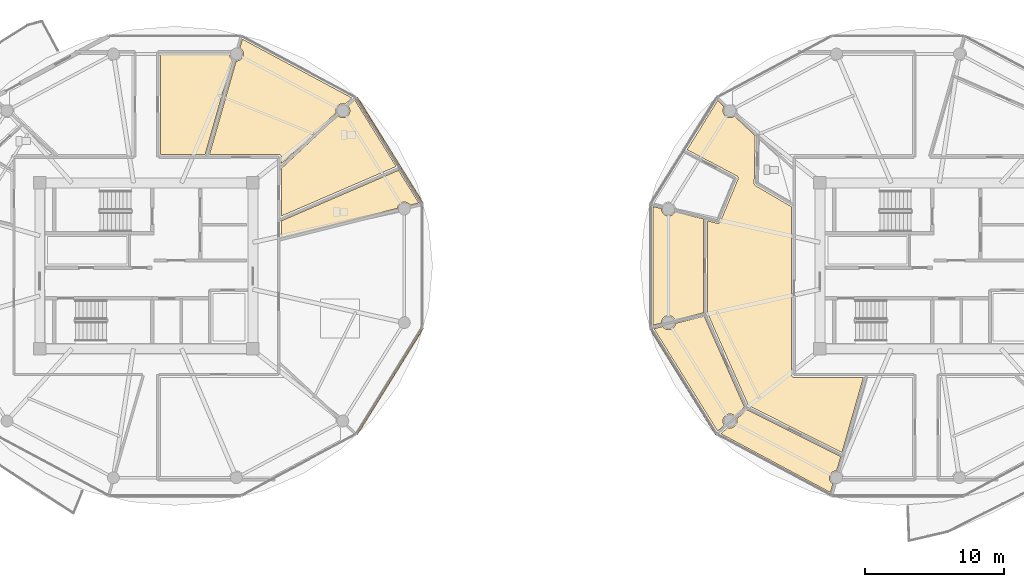
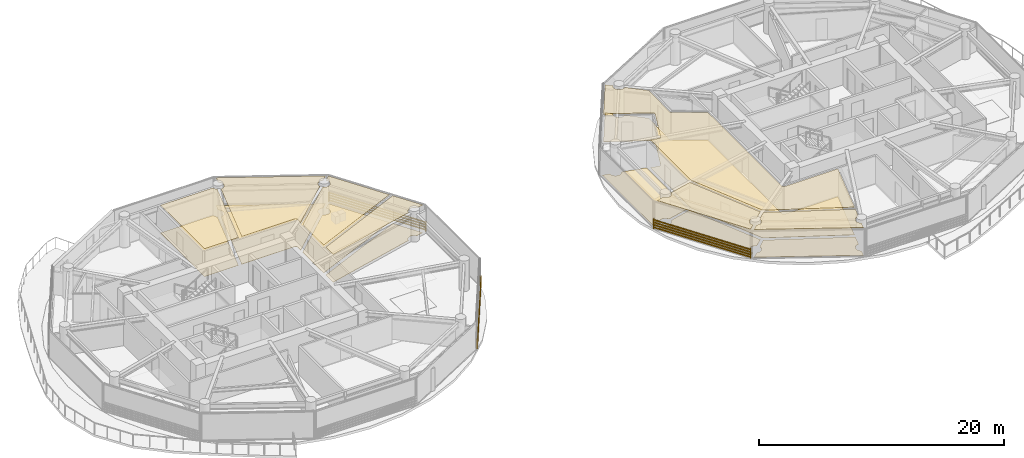
# One storey, part 21 of 25: 15 coverings, 3 shading devices.
"""IFC4 building model written with IfcOpenShell, lengths in metres."""

from ifc_helpers import new_model, si_unit, direction, frame, origin, origin_2d, place, context, subcontext, project, spatial, polyline, rectangle, outline, extrude, source, transform, mapped, material, layer, layer_set, type_object, type_shapes, element, save


model = new_model("IFC4")

# Units and contexts
model_context = context("Model", 3, precision=1e-05, world=origin(), true_north=direction((0.0, 1.0)))
body_context = subcontext(model_context, "Body", "Model", "MODEL_VIEW")
ifc_project = project(units=[si_unit("LENGTHUNIT", "METRE"), si_unit("AREAUNIT", "SQUARE_METRE"), si_unit("VOLUMEUNIT", "CUBIC_METRE"), si_unit("PLANEANGLEUNIT", "RADIAN"), si_unit("MASSUNIT", "GRAM", prefix="KILO")], contexts=[model_context])

# Site, building, storey
site_placement = place(None, origin())
site = spatial("IfcSite", under=ifc_project, at=site_placement, CompositionType="ELEMENT")
building_placement = place(site_placement, origin())
building = spatial("IfcBuilding", under=site, at=building_placement, Name="Norrkilde Senior Care Towers", CompositionType="ELEMENT")
storey_placement = place(building_placement, frame((0.0, 0.0, 99.300048828125)))
storey = spatial("IfcBuildingStorey", under=building, at=storey_placement, Name="L30", CompositionType="ELEMENT", Elevation=99.300048828125)

# Coverings
ifc_material_1 = material(Name="Nordic Ash Timber", Category="wood")
ifc_layer_1 = layer(ifc_material_1, 0.044921875)
ifc_layer_set_1 = layer_set([ifc_layer_1], Name="Nordic Ash Timber")
covering_type_1 = type_object("IfcCoveringType", Name="Acoustic Ash Timber Slatted Ceiling 45", PredefinedType="CEILING", material=ifc_layer_set_1)
covering_1_placement = place(storey_placement, frame((0.0, 0.0, 2.744873046875)))
element("IfcCovering", 1, at=covering_1_placement, inside=storey, type_object=covering_type_1, Name="L30 Suspended Ceiling 0248", PredefinedType="CEILING", context=body_context, shape_type="SweptSolid", body=[
    extrude(outline(polyline([(-23.784912109375, 8.0), (-26.97998046875, 8.0), (-26.97998046875, 15.169921875), (-22.036376953125, 15.169921875), (-22.02490234375, 15.08251953125), (-21.974365234375, 14.9609375), (-21.894287109375, 14.856201171875), (-21.835205078125, 14.81103515625), (-23.784912109375, 8.0)])), origin(), (0.0, 0.0, 1.0), 0.045166015625),
])
covering_2_placement = place(storey_placement, frame((0.0, 0.0, 2.744873046875)))
element("IfcCovering", 2, at=covering_2_placement, inside=storey, type_object=covering_type_1, Name="L30 Suspended Ceiling 0256", PredefinedType="CEILING", context=body_context, shape_type="SweptSolid", body=[
    extrude(outline(polyline([(-18.302734375, 7.833251953125), (-18.30517578125, 7.8447265625), (-18.30712890625, 7.852294921875), (-18.310546875, 7.86376953125), (-18.31298828125, 7.87109375), (-18.317626953125, 7.8818359375), (-18.321044921875, 7.888916015625), (-18.326416015625, 7.8994140625), (-18.33056640625, 7.90625), (-18.337158203125, 7.916015625), (-18.341796875, 7.92236328125), (-18.34912109375, 7.931396484375), (-18.3544921875, 7.937255859375), (-18.36279296875, 7.945556640625), (-18.36865234375, 7.95068359375), (-18.377685546875, 7.958251953125), (-18.384033203125, 7.962890625), (-18.393798828125, 7.969482421875), (-18.400634765625, 7.973388671875), (-18.410888671875, 7.97900390625), (-18.41796875, 7.982421875), (-18.428955078125, 7.98681640625), (-18.436279296875, 7.989501953125), (-18.447509765625, 7.992919921875), (-18.455322265625, 7.994873046875), (-18.466796875, 7.9970703125), (-18.474609375, 7.998291015625), (-18.486328125, 7.99951171875), (-18.494140625, 7.999755859375), (-18.5, 8.0), (-23.472900390625, 8.0), (-21.552001953125, 14.710205078125), (-21.537109375, 14.708251953125), (-21.406494140625, 14.7255859375), (-21.28466796875, 14.77587890625), (-21.179931640625, 14.856201171875), (-21.099853515625, 14.9609375), (-21.04931640625, 15.08251953125), (-21.0322265625, 15.21337890625), (-21.04931640625, 15.343994140625), (-21.099853515625, 15.4658203125), (-21.179931640625, 15.5703125), (-21.283203125, 15.649658203125), (-21.10546875, 16.270751953125), (-13.2470703125, 12.055419921875), (-13.724365234375, 11.608642578125), (-13.76318359375, 11.624755859375), (-13.893798828125, 11.641845703125), (-14.0244140625, 11.624755859375), (-14.146240234375, 11.57421875), (-14.2509765625, 11.494140625), (-14.3310546875, 11.389404296875), (-14.381591796875, 11.267578125), (-14.39892578125, 11.136962890625), (-14.381591796875, 11.00634765625), (-14.377685546875, 10.9970703125), (-18.300048828125, 7.325439453125), (-18.300048828125, 7.800048828125), (-18.300048828125, 7.805908203125), (-18.300537109375, 7.813720703125), (-18.3017578125, 7.825439453125), (-18.302734375, 7.833251953125)])), origin(), (0.0, 0.0, 1.0), 0.045166015625),
])
covering_3_placement = place(storey_placement, frame((0.0, 0.0, 2.744873046875)))
element("IfcCovering", 3, at=covering_3_placement, inside=storey, type_object=covering_type_1, Name="L30 Suspended Ceiling 0262", PredefinedType="CEILING", context=body_context, shape_type="SweptSolid", body=[
    extrude(outline(polyline([(15.6298828125, 5.90673828125), (15.630615234375, 5.89501953125), (15.631591796875, 5.888427734375), (15.633544921875, 5.876953125), (15.635009765625, 5.870361328125), (15.63818359375, 5.859130859375), (15.64013671875, 5.852783203125), (15.644287109375, 5.842041015625), (15.647216796875, 5.8359375), (15.65234375, 5.825439453125), (15.655517578125, 5.819580078125), (15.66162109375, 5.809814453125), (15.66552734375, 5.80419921875), (15.672607421875, 5.794921875), (15.677001953125, 5.789794921875), (15.68505859375, 5.781494140625), (15.689697265625, 5.776611328125), (15.698486328125, 5.76904296875), (15.703857421875, 5.764892578125), (15.713134765625, 5.758056640625), (15.71875, 5.75439453125), (15.723876953125, 5.751220703125), (18.300048828125, 4.2470703125), (18.300048828125, -7.800048828125), (18.300048828125, -7.805908203125), (18.300537109375, -7.813720703125), (18.3017578125, -7.825439453125), (18.302734375, -7.833251953125), (18.30517578125, -7.8447265625), (18.30712890625, -7.852294921875), (18.310546875, -7.86376953125), (18.31298828125, -7.87109375), (18.317626953125, -7.8818359375), (18.321044921875, -7.888916015625), (18.326416015625, -7.8994140625), (18.33056640625, -7.90625), (18.337158203125, -7.916015625), (18.341796875, -7.92236328125), (18.34912109375, -7.931396484375), (18.3544921875, -7.937255859375), (18.36279296875, -7.945556640625), (18.36865234375, -7.95068359375), (18.377685546875, -7.958251953125), (18.384033203125, -7.962890625), (18.393798828125, -7.969482421875), (18.400634765625, -7.973388671875), (18.410888671875, -7.97900390625), (18.41796875, -7.982421875), (18.428955078125, -7.98681640625), (18.436279296875, -7.989501953125), (18.447509765625, -7.992919921875), (18.455322265625, -7.994873046875), (18.466796875, -7.9970703125), (18.474609375, -7.998291015625), (18.486328125, -7.99951171875), (18.494140625, -7.999755859375), (18.5, -8.0), (23.472900390625, -8.0), (21.929931640625, -13.389892578125), (15.22119140625, -10.03076171875), (12.291259765625, -3.42138671875), (12.291259765625, 3.22998046875), (12.983154296875, 3.056396484375), (12.98876953125, 3.05517578125), (12.995361328125, 3.053955078125), (13.006591796875, 3.05224609375), (13.01318359375, 3.051513671875), (13.0244140625, 3.05078125), (13.03125, 3.05078125), (13.04248046875, 3.05126953125), (13.049072265625, 3.0517578125), (13.060546875, 3.053466796875), (13.06689453125, 3.0546875), (13.078125, 3.05712890625), (13.08447265625, 3.05908203125), (13.09521484375, 3.0625), (13.1015625, 3.06494140625), (13.11181640625, 3.069580078125), (13.11767578125, 3.072509765625), (13.127685546875, 3.078125), (13.13330078125, 3.081787109375), (13.142578125, 3.08837890625), (13.14794921875, 3.09228515625), (13.15673828125, 3.099609375), (13.161376953125, 3.104248046875), (13.16943359375, 3.1123046875), (13.173828125, 3.117431640625), (13.180908203125, 3.126220703125), (13.184814453125, 3.131591796875), (13.191162109375, 3.14111328125), (13.194580078125, 3.146728515625), (13.199951171875, 3.156982421875), (13.20263671875, 3.162841796875), (13.205078125, 3.168212890625), (14.46728515625, 6.21728515625), (14.46923828125, 6.22265625), (14.4716796875, 6.229248046875), (14.47509765625, 6.240478515625), (14.476806640625, 6.247314453125), (14.47900390625, 6.2587890625), (14.47998046875, 6.265625), (14.481201171875, 6.27734375), (14.4814453125, 6.284423828125), (14.4814453125, 6.296142578125), (14.481201171875, 6.302978515625), (14.47998046875, 6.314697265625), (14.47900390625, 6.321533203125), (14.4765625, 6.333251953125), (14.474853515625, 6.33984375), (14.471435546875, 6.35107421875), (14.468994140625, 6.357666015625), (14.464599609375, 6.36865234375), (14.461669921875, 6.374755859375), (14.4560546875, 6.38525390625), (14.452392578125, 6.39111328125), (14.44580078125, 6.40087890625), (14.441650390625, 6.406494140625), (14.43408203125, 6.41552734375), (14.429443359375, 6.420654296875), (14.421142578125, 6.428955078125), (14.416015625, 6.43359375), (14.40673828125, 6.44091796875), (14.401123046875, 6.445068359375), (14.391357421875, 6.45166015625), (14.385498046875, 6.455078125), (14.38037109375, 6.4580078125), (10.81640625, 8.337158203125), (13.009521484375, 11.86669921875), (13.48291015625, 11.423828125), (13.45654296875, 11.389404296875), (13.406005859375, 11.267578125), (13.388916015625, 11.136962890625), (13.406005859375, 11.00634765625), (13.45654296875, 10.884521484375), (13.53662109375, 10.77978515625), (13.641357421875, 10.69970703125), (13.76318359375, 10.649169921875), (13.893798828125, 10.6318359375), (14.0244140625, 10.649169921875), (14.146240234375, 10.69970703125), (14.206787109375, 10.74609375), (15.698486328125, 9.349609375), (15.6982421875, 9.346435546875), (15.697998046875, 9.340576171875), (15.629638671875, 5.919189453125), (15.629638671875, 5.913330078125), (15.6298828125, 5.90673828125)])), origin(), (0.0, 0.0, 1.0), 0.045166015625),
])
covering_4_placement = place(storey_placement, frame((0.0, 0.0, 2.744873046875)))
element("IfcCovering", 4, at=covering_4_placement, inside=storey, type_object=covering_type_1, Name="L30 Suspended Ceiling 0266", PredefinedType="CEILING", context=body_context, shape_type="SweptSolid", body=[
    extrude(outline(polyline([(9.123779296875, -4.43359375), (9.228515625, -4.513671875), (9.350341796875, -4.564208984375), (9.48095703125, -4.581298828125), (9.611572265625, -4.564208984375), (9.7333984375, -4.513671875), (9.838134765625, -4.43359375), (9.918212890625, -4.328857421875), (9.96875, -4.20703125), (9.97900390625, -4.129638671875), (12.037109375, -3.61328125), (14.927734375, -10.1337890625), (14.230224609375, -10.763916015625), (14.146240234375, -10.69970703125), (14.0244140625, -10.649169921875), (13.893798828125, -10.6318359375), (13.76318359375, -10.649169921875), (13.641357421875, -10.69970703125), (13.53662109375, -10.77978515625), (13.45654296875, -10.884521484375), (13.406005859375, -11.00634765625), (13.388916015625, -11.136962890625), (13.406005859375, -11.267578125), (13.45654296875, -11.389404296875), (13.48974609375, -11.4326171875), (13.009521484375, -11.866455078125), (8.44140625, -4.515380859375), (9.06640625, -4.358642578125), (9.123779296875, -4.43359375)])), origin(), (0.0, 0.0, 1.0), 0.045166015625),
])
covering_5_placement = place(storey_placement, frame((0.0, 0.0, 2.744873046875)))
element("IfcCovering", 5, at=covering_5_placement, inside=storey, type_object=covering_type_1, Name="L30 Suspended Ceiling 0267", PredefinedType="CEILING", context=body_context, shape_type="SweptSolid", body=[
    extrude(outline(polyline([(13.76318359375, -11.624755859375), (13.893798828125, -11.641845703125), (14.0244140625, -11.624755859375), (14.146240234375, -11.57421875), (14.2509765625, -11.494140625), (14.3310546875, -11.389404296875), (14.381591796875, -11.267578125), (14.39892578125, -11.136962890625), (14.381591796875, -11.00634765625), (14.377685546875, -10.9970703125), (15.102783203125, -10.318359375), (21.84326171875, -13.693115234375), (21.552001953125, -14.710205078125), (21.537109375, -14.708251953125), (21.406494140625, -14.7255859375), (21.28466796875, -14.77587890625), (21.179931640625, -14.856201171875), (21.099853515625, -14.9609375), (21.04931640625, -15.08251953125), (21.0322265625, -15.21337890625), (21.04931640625, -15.343994140625), (21.099853515625, -15.4658203125), (21.179931640625, -15.5703125), (21.283203125, -15.649658203125), (21.10546875, -16.270751953125), (13.2470703125, -12.055419921875), (13.724365234375, -11.608642578125), (13.76318359375, -11.624755859375)])), origin(), (0.0, 0.0, 1.0), 0.045166015625),
])
ifc_material_2 = material(Name="Gypsum Acoustic Board")
ifc_layer_2 = layer(ifc_material_2, 0.030029296875)
ifc_layer_set_2 = layer_set([ifc_layer_2], Name="Gypsum Acoustic Board")
covering_type_2 = type_object("IfcCoveringType", Name="Medical Cleanable Gypsum Ceiling 30", PredefinedType="CEILING", material=ifc_layer_set_2)
covering_6_placement = place(storey_placement, frame((0.0, 0.0, 2.760009765625)))
element("IfcCovering", 6, at=covering_6_placement, inside=storey, type_object=covering_type_2, Name="L30 Suspended Ceiling 0254", PredefinedType="CEILING", context=body_context, shape_type="SweptSolid", body=[
    extrude(outline(polyline([(-9.06640625, 4.358642578125), (-9.123779296875, 4.43359375), (-9.228515625, 4.513671875), (-9.350341796875, 4.564208984375), (-9.48095703125, 4.581298828125), (-9.611572265625, 4.564208984375), (-9.7333984375, 4.513671875), (-9.838134765625, 4.43359375), (-9.918212890625, 4.328857421875), (-9.96875, 4.20703125), (-9.97900390625, 4.129638671875), (-18.300048828125, 2.04248046875), (-18.300048828125, 3.23193359375), (-9.897216796875, 6.85791015625), (-8.44140625, 4.515380859375), (-9.06640625, 4.358642578125)])), origin(), (0.0, 0.0, 1.0), 0.030029296875),
])
covering_7_placement = place(storey_placement, frame((0.0, 0.0, 2.760009765625)))
element("IfcCovering", 7, at=covering_7_placement, inside=storey, type_object=covering_type_2, Name="L30 Suspended Ceiling 0255", PredefinedType="CEILING", context=body_context, shape_type="SweptSolid", body=[
    extrude(outline(polyline([(-10.06787109375, 7.1328125), (-18.300048828125, 3.580322265625), (-18.300048828125, 6.99658203125), (-14.254150390625, 10.783935546875), (-14.2509765625, 10.77978515625), (-14.146240234375, 10.69970703125), (-14.0244140625, 10.649169921875), (-13.893798828125, 10.6318359375), (-13.76318359375, 10.649169921875), (-13.641357421875, 10.69970703125), (-13.53662109375, 10.77978515625), (-13.45654296875, 10.884521484375), (-13.406005859375, 11.00634765625), (-13.388916015625, 11.136962890625), (-13.406005859375, 11.267578125), (-13.45654296875, 11.389404296875), (-13.51953125, 11.4716796875), (-13.0419921875, 11.918701171875), (-10.06787109375, 7.1328125)])), origin(), (0.0, 0.0, 1.0), 0.030029296875),
])
ifc_material_3 = material(Name="Slip-Resistant Porcelain Stone", Category="masonry")
ifc_layer_3 = layer(ifc_material_3, 0.02490234375)
ifc_layer_set_3 = layer_set([ifc_layer_3], Name="Slip-Resistant Porcelain Stone")
covering_type_3 = type_object("IfcCoveringType", Name="Slip-Resistant Porcelain Flooring 25", PredefinedType="FLOORING", material=ifc_layer_set_3)
covering_8_placement = place(storey_placement, origin())
element("IfcCovering", 8, at=covering_8_placement, inside=storey, type_object=covering_type_3, Name="L30 Floor Finish 0248", PredefinedType="FLOORING", context=body_context, shape_type="SweptSolid", body=[
    extrude(outline(polyline([(-23.784912109375, 8.0), (-26.97998046875, 8.0), (-26.97998046875, 15.169921875), (-22.036376953125, 15.169921875), (-22.02490234375, 15.08251953125), (-21.974365234375, 14.9609375), (-21.894287109375, 14.856201171875), (-21.835205078125, 14.81103515625), (-23.784912109375, 8.0)])), origin(), (0.0, 0.0, 1.0), 0.02490234375),
])
covering_9_placement = place(storey_placement, origin())
element("IfcCovering", 9, at=covering_9_placement, inside=storey, type_object=covering_type_3, Name="L30 Floor Finish 0254", PredefinedType="FLOORING", context=body_context, shape_type="SweptSolid", body=[
    extrude(outline(polyline([(-9.06640625, 4.358642578125), (-9.123779296875, 4.43359375), (-9.228515625, 4.513671875), (-9.350341796875, 4.564208984375), (-9.48095703125, 4.581298828125), (-9.611572265625, 4.564208984375), (-9.7333984375, 4.513671875), (-9.838134765625, 4.43359375), (-9.918212890625, 4.328857421875), (-9.96875, 4.20703125), (-9.97900390625, 4.129638671875), (-18.300048828125, 2.04248046875), (-18.300048828125, 3.23193359375), (-9.897216796875, 6.85791015625), (-8.44140625, 4.515380859375), (-9.06640625, 4.358642578125)])), origin(), (0.0, 0.0, 1.0), 0.02490234375),
])
covering_10_placement = place(storey_placement, origin())
element("IfcCovering", 10, at=covering_10_placement, inside=storey, type_object=covering_type_3, Name="L30 Floor Finish 0255", PredefinedType="FLOORING", context=body_context, shape_type="SweptSolid", body=[
    extrude(outline(polyline([(-10.06787109375, 7.1328125), (-18.300048828125, 3.580322265625), (-18.300048828125, 6.99658203125), (-14.254150390625, 10.783935546875), (-14.2509765625, 10.77978515625), (-14.146240234375, 10.69970703125), (-14.0244140625, 10.649169921875), (-13.893798828125, 10.6318359375), (-13.76318359375, 10.649169921875), (-13.641357421875, 10.69970703125), (-13.53662109375, 10.77978515625), (-13.45654296875, 10.884521484375), (-13.406005859375, 11.00634765625), (-13.388916015625, 11.136962890625), (-13.406005859375, 11.267578125), (-13.45654296875, 11.389404296875), (-13.51953125, 11.4716796875), (-13.0419921875, 11.918701171875), (-10.06787109375, 7.1328125)])), origin(), (0.0, 0.0, 1.0), 0.02490234375),
])
covering_11_placement = place(storey_placement, origin())
element("IfcCovering", 11, at=covering_11_placement, inside=storey, type_object=covering_type_3, Name="L30 Floor Finish 0256", PredefinedType="FLOORING", context=body_context, shape_type="SweptSolid", body=[
    extrude(outline(polyline([(-18.302734375, 7.833251953125), (-18.30517578125, 7.8447265625), (-18.30712890625, 7.852294921875), (-18.310546875, 7.86376953125), (-18.31298828125, 7.87109375), (-18.317626953125, 7.8818359375), (-18.321044921875, 7.888916015625), (-18.326416015625, 7.8994140625), (-18.33056640625, 7.90625), (-18.337158203125, 7.916015625), (-18.341796875, 7.92236328125), (-18.34912109375, 7.931396484375), (-18.3544921875, 7.937255859375), (-18.36279296875, 7.945556640625), (-18.36865234375, 7.95068359375), (-18.377685546875, 7.958251953125), (-18.384033203125, 7.962890625), (-18.393798828125, 7.969482421875), (-18.400634765625, 7.973388671875), (-18.410888671875, 7.97900390625), (-18.41796875, 7.982421875), (-18.428955078125, 7.98681640625), (-18.436279296875, 7.989501953125), (-18.447509765625, 7.992919921875), (-18.455322265625, 7.994873046875), (-18.466796875, 7.9970703125), (-18.474609375, 7.998291015625), (-18.486328125, 7.99951171875), (-18.494140625, 7.999755859375), (-18.5, 8.0), (-23.472900390625, 8.0), (-21.552001953125, 14.710205078125), (-21.537109375, 14.708251953125), (-21.406494140625, 14.7255859375), (-21.28466796875, 14.77587890625), (-21.179931640625, 14.856201171875), (-21.099853515625, 14.9609375), (-21.04931640625, 15.08251953125), (-21.0322265625, 15.21337890625), (-21.04931640625, 15.343994140625), (-21.099853515625, 15.4658203125), (-21.179931640625, 15.5703125), (-21.283203125, 15.649658203125), (-21.10546875, 16.270751953125), (-13.2470703125, 12.055419921875), (-13.724365234375, 11.608642578125), (-13.76318359375, 11.624755859375), (-13.893798828125, 11.641845703125), (-14.0244140625, 11.624755859375), (-14.146240234375, 11.57421875), (-14.2509765625, 11.494140625), (-14.3310546875, 11.389404296875), (-14.381591796875, 11.267578125), (-14.39892578125, 11.136962890625), (-14.381591796875, 11.00634765625), (-14.377685546875, 10.9970703125), (-18.300048828125, 7.325439453125), (-18.300048828125, 7.800048828125), (-18.300048828125, 7.805908203125), (-18.300537109375, 7.813720703125), (-18.3017578125, 7.825439453125), (-18.302734375, 7.833251953125)])), origin(), (0.0, 0.0, 1.0), 0.02490234375),
])
covering_12_placement = place(storey_placement, origin())
element("IfcCovering", 12, at=covering_12_placement, inside=storey, type_object=covering_type_3, Name="L30 Floor Finish 0262", PredefinedType="FLOORING", context=body_context, shape_type="SweptSolid", body=[
    extrude(outline(polyline([(15.6298828125, 5.90673828125), (15.630615234375, 5.89501953125), (15.631591796875, 5.888427734375), (15.633544921875, 5.876953125), (15.635009765625, 5.870361328125), (15.63818359375, 5.859130859375), (15.64013671875, 5.852783203125), (15.644287109375, 5.842041015625), (15.647216796875, 5.8359375), (15.65234375, 5.825439453125), (15.655517578125, 5.819580078125), (15.66162109375, 5.809814453125), (15.66552734375, 5.80419921875), (15.672607421875, 5.794921875), (15.677001953125, 5.789794921875), (15.68505859375, 5.781494140625), (15.689697265625, 5.776611328125), (15.698486328125, 5.76904296875), (15.703857421875, 5.764892578125), (15.713134765625, 5.758056640625), (15.71875, 5.75439453125), (15.723876953125, 5.751220703125), (18.300048828125, 4.2470703125), (18.300048828125, -7.800048828125), (18.300048828125, -7.805908203125), (18.300537109375, -7.813720703125), (18.3017578125, -7.825439453125), (18.302734375, -7.833251953125), (18.30517578125, -7.8447265625), (18.30712890625, -7.852294921875), (18.310546875, -7.86376953125), (18.31298828125, -7.87109375), (18.317626953125, -7.8818359375), (18.321044921875, -7.888916015625), (18.326416015625, -7.8994140625), (18.33056640625, -7.90625), (18.337158203125, -7.916015625), (18.341796875, -7.92236328125), (18.34912109375, -7.931396484375), (18.3544921875, -7.937255859375), (18.36279296875, -7.945556640625), (18.36865234375, -7.95068359375), (18.377685546875, -7.958251953125), (18.384033203125, -7.962890625), (18.393798828125, -7.969482421875), (18.400634765625, -7.973388671875), (18.410888671875, -7.97900390625), (18.41796875, -7.982421875), (18.428955078125, -7.98681640625), (18.436279296875, -7.989501953125), (18.447509765625, -7.992919921875), (18.455322265625, -7.994873046875), (18.466796875, -7.9970703125), (18.474609375, -7.998291015625), (18.486328125, -7.99951171875), (18.494140625, -7.999755859375), (18.5, -8.0), (23.472900390625, -8.0), (21.929931640625, -13.389892578125), (15.22119140625, -10.03076171875), (12.291259765625, -3.42138671875), (12.291259765625, 3.22998046875), (12.983154296875, 3.056396484375), (12.98876953125, 3.05517578125), (12.995361328125, 3.053955078125), (13.006591796875, 3.05224609375), (13.01318359375, 3.051513671875), (13.0244140625, 3.05078125), (13.03125, 3.05078125), (13.04248046875, 3.05126953125), (13.049072265625, 3.0517578125), (13.060546875, 3.053466796875), (13.06689453125, 3.0546875), (13.078125, 3.05712890625), (13.08447265625, 3.05908203125), (13.09521484375, 3.0625), (13.1015625, 3.06494140625), (13.11181640625, 3.069580078125), (13.11767578125, 3.072509765625), (13.127685546875, 3.078125), (13.13330078125, 3.081787109375), (13.142578125, 3.08837890625), (13.14794921875, 3.09228515625), (13.15673828125, 3.099609375), (13.161376953125, 3.104248046875), (13.16943359375, 3.1123046875), (13.173828125, 3.117431640625), (13.180908203125, 3.126220703125), (13.184814453125, 3.131591796875), (13.191162109375, 3.14111328125), (13.194580078125, 3.146728515625), (13.199951171875, 3.156982421875), (13.20263671875, 3.162841796875), (13.205078125, 3.168212890625), (14.46728515625, 6.21728515625), (14.46923828125, 6.22265625), (14.4716796875, 6.229248046875), (14.47509765625, 6.240478515625), (14.476806640625, 6.247314453125), (14.47900390625, 6.2587890625), (14.47998046875, 6.265625), (14.481201171875, 6.27734375), (14.4814453125, 6.284423828125), (14.4814453125, 6.296142578125), (14.481201171875, 6.302978515625), (14.47998046875, 6.314697265625), (14.47900390625, 6.321533203125), (14.4765625, 6.333251953125), (14.474853515625, 6.33984375), (14.471435546875, 6.35107421875), (14.468994140625, 6.357666015625), (14.464599609375, 6.36865234375), (14.461669921875, 6.374755859375), (14.4560546875, 6.38525390625), (14.452392578125, 6.39111328125), (14.44580078125, 6.40087890625), (14.441650390625, 6.406494140625), (14.43408203125, 6.41552734375), (14.429443359375, 6.420654296875), (14.421142578125, 6.428955078125), (14.416015625, 6.43359375), (14.40673828125, 6.44091796875), (14.401123046875, 6.445068359375), (14.391357421875, 6.45166015625), (14.385498046875, 6.455078125), (14.38037109375, 6.4580078125), (10.81640625, 8.337158203125), (13.009521484375, 11.86669921875), (13.48291015625, 11.423828125), (13.45654296875, 11.389404296875), (13.406005859375, 11.267578125), (13.388916015625, 11.136962890625), (13.406005859375, 11.00634765625), (13.45654296875, 10.884521484375), (13.53662109375, 10.77978515625), (13.641357421875, 10.69970703125), (13.76318359375, 10.649169921875), (13.893798828125, 10.6318359375), (14.0244140625, 10.649169921875), (14.146240234375, 10.69970703125), (14.206787109375, 10.74609375), (15.698486328125, 9.349609375), (15.6982421875, 9.346435546875), (15.697998046875, 9.340576171875), (15.629638671875, 5.919189453125), (15.629638671875, 5.913330078125), (15.6298828125, 5.90673828125)])), origin(), (0.0, 0.0, 1.0), 0.02490234375),
])
covering_13_placement = place(storey_placement, origin())
element("IfcCovering", 13, at=covering_13_placement, inside=storey, type_object=covering_type_3, Name="L30 Floor Finish 0265", PredefinedType="FLOORING", context=body_context, shape_type="SweptSolid", body=[
    extrude(outline(polyline([(8.97607421875, 4.076416015625), (8.9931640625, 3.94580078125), (9.043701171875, 3.823974609375), (9.123779296875, 3.71923828125), (9.228515625, 3.63916015625), (9.350341796875, 3.588623046875), (9.48095703125, 3.5712890625), (9.611572265625, 3.588623046875), (9.7333984375, 3.63916015625), (9.838134765625, 3.71923828125), (9.918212890625, 3.823974609375), (9.938232421875, 3.872314453125), (11.981201171875, 3.37353515625), (11.981201171875, -3.37353515625), (9.938232421875, -3.872314453125), (9.918212890625, -3.823974609375), (9.838134765625, -3.71923828125), (9.7333984375, -3.63916015625), (9.611572265625, -3.588623046875), (9.48095703125, -3.5712890625), (9.350341796875, -3.588623046875), (9.228515625, -3.63916015625), (9.123779296875, -3.71923828125), (9.043701171875, -3.823974609375), (8.9931640625, -3.94580078125), (8.97607421875, -4.076416015625), (8.97998046875, -4.106201171875), (8.35498046875, -4.2587890625), (8.35498046875, 4.2587890625), (8.97998046875, 4.106201171875), (8.97607421875, 4.076416015625)])), origin(), (0.0, 0.0, 1.0), 0.02490234375),
])
covering_14_placement = place(storey_placement, origin())
element("IfcCovering", 14, at=covering_14_placement, inside=storey, type_object=covering_type_3, Name="L30 Floor Finish 0266", PredefinedType="FLOORING", context=body_context, shape_type="SweptSolid", body=[
    extrude(outline(polyline([(9.123779296875, -4.43359375), (9.228515625, -4.513671875), (9.350341796875, -4.564208984375), (9.48095703125, -4.581298828125), (9.611572265625, -4.564208984375), (9.7333984375, -4.513671875), (9.838134765625, -4.43359375), (9.918212890625, -4.328857421875), (9.96875, -4.20703125), (9.97900390625, -4.129638671875), (12.037109375, -3.61328125), (14.927734375, -10.1337890625), (14.230224609375, -10.763916015625), (14.146240234375, -10.69970703125), (14.0244140625, -10.649169921875), (13.893798828125, -10.6318359375), (13.76318359375, -10.649169921875), (13.641357421875, -10.69970703125), (13.53662109375, -10.77978515625), (13.45654296875, -10.884521484375), (13.406005859375, -11.00634765625), (13.388916015625, -11.136962890625), (13.406005859375, -11.267578125), (13.45654296875, -11.389404296875), (13.48974609375, -11.4326171875), (13.009521484375, -11.866455078125), (8.44140625, -4.515380859375), (9.06640625, -4.358642578125), (9.123779296875, -4.43359375)])), origin(), (0.0, 0.0, 1.0), 0.02490234375),
])
covering_15_placement = place(storey_placement, origin())
element("IfcCovering", 15, at=covering_15_placement, inside=storey, type_object=covering_type_3, Name="L30 Floor Finish 0267", PredefinedType="FLOORING", context=body_context, shape_type="SweptSolid", body=[
    extrude(outline(polyline([(13.76318359375, -11.624755859375), (13.893798828125, -11.641845703125), (14.0244140625, -11.624755859375), (14.146240234375, -11.57421875), (14.2509765625, -11.494140625), (14.3310546875, -11.389404296875), (14.381591796875, -11.267578125), (14.39892578125, -11.136962890625), (14.381591796875, -11.00634765625), (14.377685546875, -10.9970703125), (15.102783203125, -10.318359375), (21.84326171875, -13.693115234375), (21.552001953125, -14.710205078125), (21.537109375, -14.708251953125), (21.406494140625, -14.7255859375), (21.28466796875, -14.77587890625), (21.179931640625, -14.856201171875), (21.099853515625, -14.9609375), (21.04931640625, -15.08251953125), (21.0322265625, -15.21337890625), (21.04931640625, -15.343994140625), (21.099853515625, -15.4658203125), (21.179931640625, -15.5703125), (21.283203125, -15.649658203125), (21.10546875, -16.270751953125), (13.2470703125, -12.055419921875), (13.724365234375, -11.608642578125), (13.76318359375, -11.624755859375)])), origin(), (0.0, 0.0, 1.0), 0.02490234375),
])

# Shading devices
ifc_material_4 = material(Name="Architectural Terracotta", Category="masonry")
shading_device_type = type_object("IfcShadingDeviceType", Name="Horizontal Terracotta Baguette Rack", PredefinedType="USERDEFINED", material=ifc_material_4)
shared_shape = source(origin(), body_context, "Body", "SweptSolid", [
    extrude(rectangle(XDim=0.070068359375, YDim=0.110107421875, at=origin_2d()), frame((0.0, 0.090087890625, 0.125), z_axis=(1.0, 0.0, 0.0), x_axis=(0.0, 1.0, 0.0)), (0.0, 0.0, 1.0), 9.01416015625),
    extrude(rectangle(XDim=0.070068359375, YDim=0.110107421875, at=origin_2d()), frame((0.0, 0.090087890625, 0.375), z_axis=(1.0, 0.0, 0.0), x_axis=(0.0, 1.0, 0.0)), (0.0, 0.0, 1.0), 9.01416015625),
    extrude(rectangle(XDim=0.070068359375, YDim=0.110107421875, at=origin_2d()), frame((0.0, 0.090087890625, 0.625), z_axis=(1.0, 0.0, 0.0), x_axis=(0.0, 1.0, 0.0)), (0.0, 0.0, 1.0), 9.01416015625),
    extrude(rectangle(XDim=0.070068359375, YDim=0.110107421875, at=origin_2d()), frame((0.0, 0.090087890625, 0.875), z_axis=(1.0, 0.0, 0.0), x_axis=(0.0, 1.0, 0.0)), (0.0, 0.0, 1.0), 9.01416015625),
    extrude(rectangle(XDim=0.050048828125, YDim=0.1552734375, at=origin_2d()), frame((0.02490234375, 0.047607421875, 0.0)), (0.0, 0.0, 1.0), 1.0),
    extrude(rectangle(XDim=0.050048828125, YDim=0.1552734375, at=origin_2d()), frame((8.9892578125, 0.047607421875, 0.0)), (0.0, 0.0, 1.0), 1.0),
])
type_shapes(shading_device_type, [shared_shape])
for number, where, z_axis, x_axis, name in (
    (16, (-12.953369140625, 12.077392578125, 0.079833984375), (0.0, 0.0, 1.0), (0.527734142246, -0.849412274525, 0.0), "L30 Drum W Terracotta Baguette Screen 00"),
    (17, (-8.1962890625, -4.420654296875, 0.079833984375), (0.0, 0.0, 1.0), (-0.527734142246, -0.849412274525, 0.0), "L30 Drum W Terracotta Baguette Screen 10"),
    (18, (12.953369140625, -12.077392578125, 0.079833984375), (0.0, 0.0, 1.0), (-0.527734142246, 0.849412274525, 0.0), "L30 Drum E Terracotta Baguette Screen 06"),
):
    element("IfcShadingDevice", number, at=place(storey_placement, frame(where, z_axis=z_axis, x_axis=x_axis)), inside=storey, type_object=shading_device_type, Name=name, ObjectType="BAGUETTE", PredefinedType="USERDEFINED", context=body_context, shape_type="MappedRepresentation", body=[
        mapped(shared_shape, transform((0.0, 0.0, 0.0), x_axis=(1.0, 0.0, 0.0), y_axis=(0.0, 1.0, 0.0), z_axis=(0.0, 0.0, 1.0), scale=1.0)),
    ])

save(model, "model.ifc")
